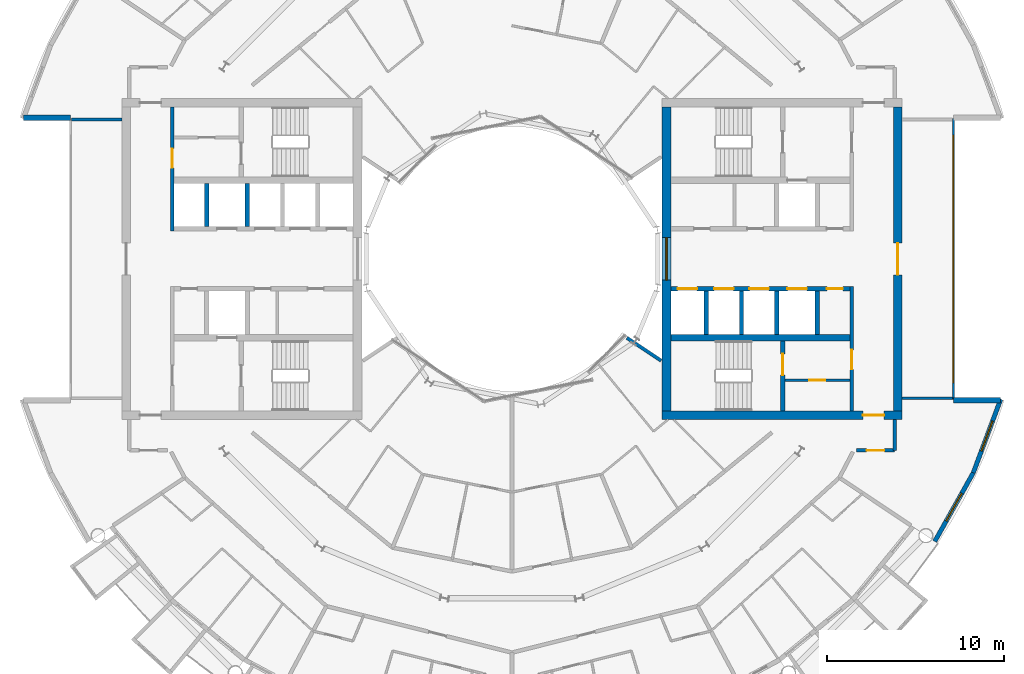
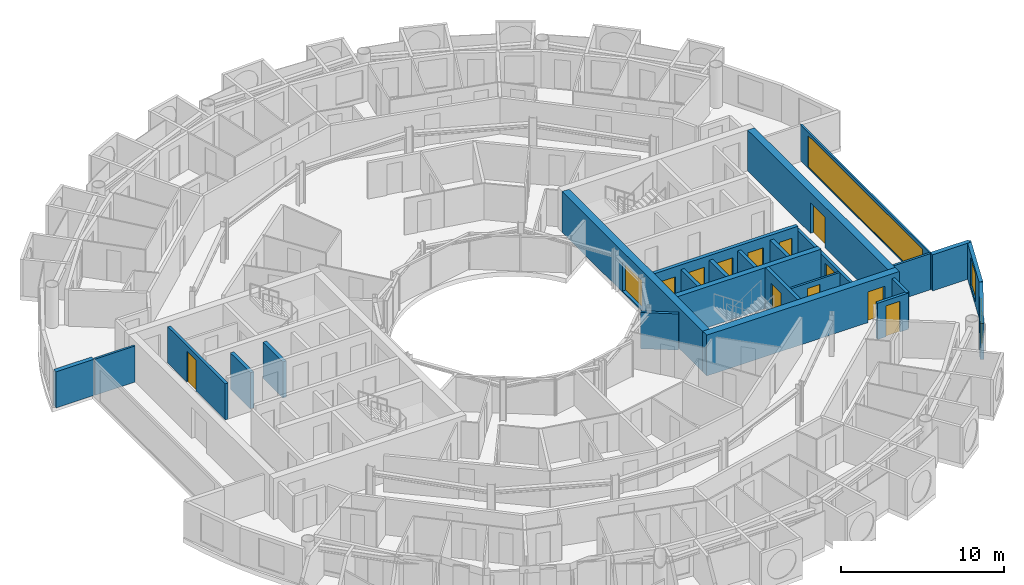
# One storey, part 18 of 27: 25 walls, 12 doors, 4 windows, 16 openings.
"""IFC4 building model written with IfcOpenShell, lengths in metres."""

import ifcopenshell
import ifcopenshell.guid

model = None  # the IFC model being written
_history = None  # IfcOwnerHistory: only IFC2X3 demands one
_inside = {}  # id of a spatial element -> (the spatial element, [elements in it])
_under = {}  # id of a project, library or spatial element -> (it, [spatial elements below it])
_declared = {}  # id of a project -> (the project, [libraries it declares])
_typed = {}  # id of a type object -> (the type object, [elements of that type])
_made_of = {}  # id of a material, layer set ... -> (it, [elements and type objects made of it])


def new_model(schema):
    """Start an empty IFC model of exactly this schema.

    Asked for "IFC4X3", IfcOpenShell would pick the latest addendum, in which some entities
    have other attributes; the version numbers below select the first issue.
    IFC2X3 requires an IfcOwnerHistory on every rooted entity: one is made here for all.
    """
    global model, _history
    if schema == "IFC4X3":
        model = ifcopenshell.file(schema_version=(4, 3, 0, 0))
    else:
        model = ifcopenshell.file(schema=schema)
    _inside.clear()
    _under.clear()
    _declared.clear()
    _typed.clear()
    _made_of.clear()
    _history = None
    if model.schema == "IFC2X3":
        org = make("IfcOrganization", Name="unknown")
        user = make(
            "IfcPersonAndOrganization",
            ThePerson=make("IfcPerson", FamilyName="unknown"),
            TheOrganization=org,
        )
        app = make(
            "IfcApplication",
            ApplicationDeveloper=org,
            Version="unknown",
            ApplicationFullName="unknown",
            ApplicationIdentifier="unknown",
        )
        _history = make(
            "IfcOwnerHistory",
            OwningUser=user,
            OwningApplication=app,
            ChangeAction="ADDED",
            CreationDate=0,
        )
    return model


def make(cls, **values):
    """One entity of the class cls with the attributes given. An attribute that is None is left unset."""
    return model.create_entity(
        cls, **{name: value for name, value in values.items() if value is not None}
    )


def rooted(cls, **values):
    """An entity with a GlobalId (a new one), such as an element, a storey or a relation."""
    return make(cls, GlobalId=ifcopenshell.guid.new(), OwnerHistory=_history, **values)


def si_unit(unit_type, name, prefix=None):
    """IfcSIUnit, for example si_unit("LENGTHUNIT", "METRE", prefix="MILLI")."""
    return make("IfcSIUnit", UnitType=unit_type, Prefix=prefix, Name=name)


def assignment(units):
    """IfcUnitAssignment: the units of a project."""
    return None if units is None else make("IfcUnitAssignment", Units=units)


def point(xyz):
    """IfcCartesianPoint."""
    return None if xyz is None else make("IfcCartesianPoint", Coordinates=xyz)


def direction(xyz):
    """IfcDirection."""
    return None if xyz is None else make("IfcDirection", DirectionRatios=xyz)


def frame(location, z_axis=None, x_axis=None):
    """IfcAxis2Placement3D, a coordinate frame: its origin and axes. An axis left out is left unset."""
    return make(
        "IfcAxis2Placement3D",
        Location=point(location),
        Axis=direction(z_axis),
        RefDirection=direction(x_axis),
    )


def frame_2d(location, x_axis=None):
    """IfcAxis2Placement2D, a coordinate frame in the plane: its origin and x axis."""
    return make(
        "IfcAxis2Placement2D", Location=point(location), RefDirection=direction(x_axis)
    )


def origin():
    """The frame at (0, 0, 0) with its axes left unset."""
    return frame((0.0, 0.0, 0.0))


def place(relative_to, where):
    """IfcLocalPlacement: puts the frame where relative to a parent placement (None: the world)."""
    return make(
        "IfcLocalPlacement", PlacementRelTo=relative_to, RelativePlacement=where
    )


def context(
    kind, dimensions, precision=None, world=None, true_north=None, identifier=None
):
    """IfcGeometricRepresentationContext, for example the 3D "Model" context."""
    return make(
        "IfcGeometricRepresentationContext",
        ContextIdentifier=identifier,
        ContextType=kind,
        CoordinateSpaceDimension=dimensions,
        Precision=precision,
        WorldCoordinateSystem=world,
        TrueNorth=true_north,
    )


def subcontext(parent, identifier, kind, view, scale=None):
    """IfcGeometricRepresentationSubContext, for example "Body" below "Model"."""
    return make(
        "IfcGeometricRepresentationSubContext",
        ContextIdentifier=identifier,
        ContextType=kind,
        ParentContext=parent,
        TargetScale=scale,
        TargetView=view,
    )


def project(units=None, contexts=None):
    """IfcProject with its units and contexts."""
    return rooted(
        "IfcProject",
        Name="project",
        RepresentationContexts=contexts,
        UnitsInContext=assignment(units),
    )


def spatial(cls, under=None, at=None, **own):
    """A site, building, storey or space (cls), placed at a placement, below another one or the project."""
    s = rooted(cls, ObjectPlacement=at, **own)
    if under is not None:
        _under.setdefault(under.id(), (under, []))[1].append(s)
    return s


def profile(cls, at=None, kind="AREA", **sizes):
    """A parametric profile (cls). Its sizes go by their IFC names, for example OverallWidth=200.0."""
    return make(cls, ProfileType=kind, Position=at, **sizes)


def rectangle(**sizes):
    """IfcRectangleProfileDef."""
    return profile("IfcRectangleProfileDef", **sizes)


def extrude(swept, where, along, depth):
    """IfcExtrudedAreaSolid: the profile swept, set in the frame where, extruded along a direction by depth."""
    return make(
        "IfcExtrudedAreaSolid",
        SweptArea=swept,
        Position=where,
        ExtrudedDirection=direction(along),
        Depth=depth,
    )


def shape(context_of_items, identifier, shape_type, items):
    """IfcShapeRepresentation: the items that make up one representation, for example the "Body"."""
    return make(
        "IfcShapeRepresentation",
        ContextOfItems=context_of_items,
        RepresentationIdentifier=identifier,
        RepresentationType=shape_type,
        Items=items,
    )


def material(Name=None, Category=None):
    """IfcMaterial."""
    return make("IfcMaterial", Name=Name, Category=Category)


def layer(
    of_material, thickness, ventilated=None, Name=None, Category=None, Priority=None
):
    """IfcMaterialLayer: one layer of a wall or slab, of a material (None: an air gap)."""
    return make(
        "IfcMaterialLayer",
        Material=of_material,
        LayerThickness=thickness,
        IsVentilated=ventilated,
        Name=Name,
        Category=Category,
        Priority=Priority,
    )


def layer_set(layers, Name=None):
    """IfcMaterialLayerSet."""
    return make("IfcMaterialLayerSet", MaterialLayers=layers, LayerSetName=Name)


def made_of(thing, what):
    """Note that an element or type object is made of a material, layer set ...; save() writes the relation."""
    if what is not None:
        _made_of.setdefault(what.id(), (what, []))[1].append(thing)
    return thing


def type_object(cls, material=None, **own):
    """A type object (cls), such as IfcWallType, which elements share."""
    return made_of(rooted(cls, **own), material)


def element(
    cls,
    number,
    at=None,
    inside=None,
    cuts=None,
    type_object=None,
    material=None,
    context=None,
    identifier="Body",
    shape_type=None,
    held_by="IfcProductDefinitionShape",
    body=None,
    shapes=None,
    **own,
):
    """One element of the class cls, such as IfcWall. Its Tag is "e" and its number.

    at: its placement. inside: the storey or other place that contains it. cuts: it is an
    opening in that element (IfcRelVoidsElement). A single representation is given by context,
    identifier, shape_type and body (its items); several are given by shapes. held_by: the class
    of the entity that holds the representations. save() writes the other relations.
    """
    e = rooted(cls, Tag="e%d" % number, ObjectPlacement=at, **own)
    if body is not None:
        shapes = [shape(context, identifier, shape_type, body)]
    if shapes is not None:
        e.Representation = make(held_by, Representations=shapes)
    if inside is not None:
        _inside.setdefault(inside.id(), (inside, []))[1].append(e)
    if cuts is not None:
        rooted(
            "IfcRelVoidsElement", RelatingBuildingElement=cuts, RelatedOpeningElement=e
        )
    if type_object is not None:
        _typed.setdefault(type_object.id(), (type_object, []))[1].append(e)
    return made_of(e, material)


def fill(opening, filler):
    """IfcRelFillsElement: the door or window that sits in an opening."""
    return rooted(
        "IfcRelFillsElement",
        RelatingOpeningElement=opening,
        RelatedBuildingElement=filler,
    )


def aggregate(whole, parts):
    """IfcRelAggregates: a whole, such as a stair, and the parts it consists of."""
    return rooted("IfcRelAggregates", RelatingObject=whole, RelatedObjects=parts)


def save(model, path):
    """Write the relations noted so far, then the file.

    IfcRelAggregates (storeys below a building ...), IfcRelContainedInSpatialStructure (elements
    in a storey), IfcRelDefinesByType, IfcRelAssociatesMaterial and IfcRelDeclares: one each for
    every whole, place, type object, material and project.
    """
    for whole, parts in _under.values():
        aggregate(whole, parts)
    for where, things in _inside.values():
        rooted(
            "IfcRelContainedInSpatialStructure",
            RelatedElements=things,
            RelatingStructure=where,
        )
    for kind, things in _typed.values():
        rooted("IfcRelDefinesByType", RelatedObjects=things, RelatingType=kind)
    for what, things in _made_of.values():
        rooted("IfcRelAssociatesMaterial", RelatedObjects=things, RelatingMaterial=what)
    for by, libraries in _declared.values():
        rooted("IfcRelDeclares", RelatingContext=by, RelatedDefinitions=libraries)
    model.write(path)


model = new_model("IFC4")

# Units and contexts
model_context = context("Model", 3, precision=1e-05, world=origin(), true_north=direction((0.0, 1.0)))
body_context = subcontext(model_context, "Body", "Model", "MODEL_VIEW")
ifc_project = project(units=[si_unit("LENGTHUNIT", "METRE"), si_unit("AREAUNIT", "SQUARE_METRE"), si_unit("VOLUMEUNIT", "CUBIC_METRE"), si_unit("PLANEANGLEUNIT", "RADIAN"), si_unit("MASSUNIT", "GRAM", prefix="KILO")], contexts=[model_context])

# Site, building, storey
site_placement = place(None, origin())
site = spatial("IfcSite", under=ifc_project, at=site_placement, CompositionType="ELEMENT")
building_placement = place(site_placement, origin())
building = spatial("IfcBuilding", under=site, at=building_placement, Name="Maasbend Ring Residences", CompositionType="ELEMENT")
storey_placement = place(building_placement, frame((0.0, 0.0, 164.64990234375)))
storey = spatial("IfcBuildingStorey", under=building, at=storey_placement, Name="L47", CompositionType="ELEMENT", Elevation=164.64990234375)

# Wall, openings, doors
ifc_material_1 = material(Name="Concrete C60/75", Category="concrete")
ifc_layer_1 = layer(ifc_material_1, 0.25)
ifc_layer_set_1 = layer_set([ifc_layer_1], Name="Concrete C60/75")
wall_type_1 = type_object("IfcWallType", Name="CORE WALL 250 C60/75", PredefinedType="SHEAR", material=ifc_layer_set_1)
wall_1_placement = place(storey_placement, frame((19.14990234375, -1.699951171875, 0.0), z_axis=(0.0, 0.0, 1.0), x_axis=(-1.0, 0.0, 0.0)))
wall_1 = element("IfcWall", 1, at=wall_1_placement, inside=storey, type_object=wall_type_1, Name="L47 core E wall SPS", PredefinedType="SHEAR", context=body_context, shape_type="SweptSolid", body=[
    extrude(rectangle(XDim=10.14990234375, YDim=0.25, at=frame_2d((5.074951171875, 0.0))), origin(), (0.0, 0.0, 1.0), 3.050048828125),
])
opening_1_placement = place(wall_1_placement, frame((8.66259765625, 0.0, 0.0)))
opening_1 = element("IfcOpeningElement", 2, at=opening_1_placement, cuts=wall_1, Name="Opening LD-E4702", PredefinedType="OPENING", context=body_context, shape_type="SweptSolid", body=[
    extrude(rectangle(XDim=1.10009765625, YDim=2.300048828125, at=frame_2d((0.550048828125, 1.14990234375))), frame((0.0, 0.135009765625, 0.0), z_axis=(0.0, -1.0, 0.0), x_axis=(1.0, 0.0, 0.0)), (0.0, 0.0, 1.0), 0.27001953125),
])
opening_2_placement = place(wall_1_placement, frame((6.60009765625, 0.0, 0.0)))
opening_2 = element("IfcOpeningElement", 3, at=opening_2_placement, cuts=wall_1, Name="Opening LD-E4703", PredefinedType="OPENING", context=body_context, shape_type="SweptSolid", body=[
    extrude(rectangle(XDim=1.10009765625, YDim=2.300048828125, at=frame_2d((0.550048828125, 1.14990234375))), frame((0.0, 0.135009765625, 0.0), z_axis=(0.0, -1.0, 0.0), x_axis=(1.0, 0.0, 0.0)), (0.0, 0.0, 1.0), 0.27001953125),
])
opening_3_placement = place(wall_1_placement, frame((4.60009765625, 0.0, 0.0)))
opening_3 = element("IfcOpeningElement", 4, at=opening_3_placement, cuts=wall_1, Name="Opening LD-E4704", PredefinedType="OPENING", context=body_context, shape_type="SweptSolid", body=[
    extrude(rectangle(XDim=1.10009765625, YDim=2.300048828125, at=frame_2d((0.550048828125, 1.14990234375))), frame((0.0, 0.135009765625, 0.0), z_axis=(0.0, -1.0, 0.0), x_axis=(1.0, 0.0, 0.0)), (0.0, 0.0, 1.0), 0.27001953125),
])
opening_4_placement = place(wall_1_placement, frame((2.449951171875, 0.0, 0.0)))
opening_4 = element("IfcOpeningElement", 5, at=opening_4_placement, cuts=wall_1, Name="Opening LD-E4705", PredefinedType="OPENING", context=body_context, shape_type="SweptSolid", body=[
    extrude(rectangle(XDim=1.10009765625, YDim=2.300048828125, at=frame_2d((0.550048828125, 1.14990234375))), frame((0.0, 0.135009765625, 0.0), z_axis=(0.0, -1.0, 0.0), x_axis=(1.0, 0.0, 0.0)), (0.0, 0.0, 1.0), 0.27001953125),
])
opening_5_placement = place(wall_1_placement, frame((0.41259765625, 0.0, 0.0)))
opening_5 = element("IfcOpeningElement", 6, at=opening_5_placement, cuts=wall_1, Name="Opening D-E4709", PredefinedType="OPENING", context=body_context, shape_type="SweptSolid", body=[
    extrude(rectangle(XDim=0.89990234375, YDim=2.300048828125, at=frame_2d((0.449951171875, 1.14990234375))), frame((0.0, 0.135009765625, 0.0), z_axis=(0.0, -1.0, 0.0), x_axis=(1.0, 0.0, 0.0)), (0.0, 0.0, 1.0), 0.27001953125),
])
ifc_material_2 = material(Name="Stainless steel 316", Category="steel")
door_type_1 = type_object("IfcDoorType", Name="LANDING DOOR 1100 X 2300 FD60", OperationType="DOUBLE_DOOR_SLIDING", PredefinedType="DOOR", material=ifc_material_2)
door_1_placement = place(opening_1_placement, origin())
door_1 = element("IfcDoor", 7, at=door_1_placement, inside=storey, type_object=door_type_1, Name="Landing door HR-E1 L47", OperationType="DOUBLE_DOOR_SLIDING", OverallHeight=2.300048828125, OverallWidth=1.10009765625, PredefinedType="DOOR", context=body_context, shape_type="SweptSolid", body=[
    extrude(rectangle(XDim=1.10009765625, YDim=2.300048828125, at=frame_2d((0.550048828125, 1.14990234375))), frame((0.0, 0.02490234375, 0.0), z_axis=(0.0, -1.0, 0.0), x_axis=(1.0, 0.0, 0.0)), (0.0, 0.0, 1.0), 0.050048828125),
])
fill(opening_1, door_1)
door_2_placement = place(opening_2_placement, origin())
door_2 = element("IfcDoor", 8, at=door_2_placement, inside=storey, type_object=door_type_1, Name="Landing door HR-E2 L47", OperationType="DOUBLE_DOOR_SLIDING", OverallHeight=2.300048828125, OverallWidth=1.10009765625, PredefinedType="DOOR", context=body_context, shape_type="SweptSolid", body=[
    extrude(rectangle(XDim=1.10009765625, YDim=2.300048828125, at=frame_2d((0.550048828125, 1.14990234375))), frame((0.0, 0.02490234375, 0.0), z_axis=(0.0, -1.0, 0.0), x_axis=(1.0, 0.0, 0.0)), (0.0, 0.0, 1.0), 0.050048828125),
])
fill(opening_2, door_2)
door_3_placement = place(opening_3_placement, origin())
door_3 = element("IfcDoor", 9, at=door_3_placement, inside=storey, type_object=door_type_1, Name="Landing door HR-E3 L47", OperationType="DOUBLE_DOOR_SLIDING", OverallHeight=2.300048828125, OverallWidth=1.10009765625, PredefinedType="DOOR", context=body_context, shape_type="SweptSolid", body=[
    extrude(rectangle(XDim=1.10009765625, YDim=2.300048828125, at=frame_2d((0.550048828125, 1.14990234375))), frame((0.0, 0.02490234375, 0.0), z_axis=(0.0, -1.0, 0.0), x_axis=(1.0, 0.0, 0.0)), (0.0, 0.0, 1.0), 0.050048828125),
])
fill(opening_3, door_3)
door_4_placement = place(opening_4_placement, origin())
door_4 = element("IfcDoor", 10, at=door_4_placement, inside=storey, type_object=door_type_1, Name="Landing door SV-E L47", OperationType="DOUBLE_DOOR_SLIDING", OverallHeight=2.300048828125, OverallWidth=1.10009765625, PredefinedType="DOOR", context=body_context, shape_type="SweptSolid", body=[
    extrude(rectangle(XDim=1.10009765625, YDim=2.300048828125, at=frame_2d((0.550048828125, 1.14990234375))), frame((0.0, 0.02490234375, 0.0), z_axis=(0.0, -1.0, 0.0), x_axis=(1.0, 0.0, 0.0)), (0.0, 0.0, 1.0), 0.050048828125),
])
fill(opening_4, door_4)
ifc_material_3 = material(Name="Steel, powder coated", Category="steel")
door_type_2 = type_object("IfcDoorType", Name="ROOM DOOR 900 X 2300 FD30S", OperationType="NOTDEFINED", PredefinedType="DOOR", material=ifc_material_3)
door_5_placement = place(opening_5_placement, origin())
door_5 = element("IfcDoor", 11, at=door_5_placement, inside=storey, type_object=door_type_2, Name="Room door L47", OperationType="SINGLE_SWING_RIGHT", OverallHeight=2.300048828125, OverallWidth=0.89990234375, PredefinedType="DOOR", context=body_context, shape_type="SweptSolid", body=[
    extrude(rectangle(XDim=0.89990234375, YDim=2.300048828125, at=frame_2d((0.449951171875, 1.14990234375))), frame((0.0, 0.02490234375, 0.0), z_axis=(0.0, -1.0, 0.0), x_axis=(1.0, 0.0, 0.0)), (0.0, 0.0, 1.0), 0.050048828125),
])
fill(opening_5, door_5)

# Wall, opening, door
wall_2_placement = place(storey_placement, frame((15.324951171875, -8.60009765625, 0.0), z_axis=(0.0, 0.0, 1.0), x_axis=(0.0, 1.0, 0.0)))
wall_2 = element("IfcWall", 12, at=wall_2_placement, inside=storey, type_object=wall_type_1, Name="L47 core E wall STES", PredefinedType="SHEAR", context=body_context, shape_type="SweptSolid", body=[
    extrude(rectangle(XDim=3.9501953125, YDim=0.25, at=frame_2d((1.97509765625, 0.0))), origin(), (0.0, 0.0, 1.0), 3.050048828125),
])
opening_6_placement = place(wall_2_placement, frame((2.02490234375, 0.0, 0.0)))
opening_6 = element("IfcOpeningElement", 13, at=opening_6_placement, cuts=wall_2, Name="Opening D-E4712", PredefinedType="OPENING", context=body_context, shape_type="SweptSolid", body=[
    extrude(rectangle(XDim=1.199951171875, YDim=2.300048828125, at=frame_2d((0.60009765625, 1.14990234375))), frame((0.0, 0.135009765625, 0.0), z_axis=(0.0, -1.0, 0.0), x_axis=(1.0, 0.0, 0.0)), (0.0, 0.0, 1.0), 0.27001953125),
])
ifc_material_4 = material(Name="Steel, powder coated", Category="steel")
door_type_3 = type_object("IfcDoorType", Name="STAIR DOOR 1200 X 2300 FD60", OperationType="NOTDEFINED", PredefinedType="DOOR", material=ifc_material_4)
door_6_placement = place(opening_6_placement, origin())
door_6 = element("IfcDoor", 14, at=door_6_placement, inside=storey, type_object=door_type_3, Name="Stair door ST-E L47", OperationType="SINGLE_SWING_LEFT", OverallHeight=2.300048828125, OverallWidth=1.199951171875, PredefinedType="DOOR", context=body_context, shape_type="SweptSolid", body=[
    extrude(rectangle(XDim=1.199951171875, YDim=2.300048828125, at=frame_2d((0.60009765625, 1.14990234375))), frame((0.0, 0.02490234375, 0.0), z_axis=(0.0, -1.0, 0.0), x_axis=(1.0, 0.0, 0.0)), (0.0, 0.0, 1.0), 0.050048828125),
])
fill(opening_6, door_6)

# Wall
ifc_material_5 = material(Name="Concrete C60/75", Category="concrete")
ifc_layer_2 = layer(ifc_material_5, 0.375)
ifc_layer_set_2 = layer_set([ifc_layer_2], Name="Concrete C60/75")
wall_type_2 = type_object("IfcWallType", Name="CORE WALL 375 C60/75", PredefinedType="SHEAR", material=ifc_layer_set_2)
wall_3_placement = place(storey_placement, frame((9.0, -4.46240234375, 0.0), z_axis=(0.0, 0.0, 1.0), x_axis=(1.0, 0.0, 0.0)))
element("IfcWall", 15, at=wall_3_placement, inside=storey, type_object=wall_type_2, Name="L47 core E wall BS", PredefinedType="SHEAR", context=body_context, shape_type="SweptSolid", body=[
    extrude(rectangle(XDim=10.14990234375, YDim=0.375, at=frame_2d((5.074951171875, 0.0))), origin(), (0.0, 0.0, 1.0), 3.050048828125),
])

# Wall, opening, door
ifc_material_6 = material(Name="Concrete C60/75", Category="concrete")
ifc_layer_3 = layer(ifc_material_6, 0.5)
ifc_layer_set_3 = layer_set([ifc_layer_3], Name="Concrete C60/75")
wall_type_3 = type_object("IfcWallType", Name="CORE WALL 500 C60/75", PredefinedType="SHEAR", material=ifc_layer_set_3)
wall_4_placement = place(storey_placement, frame((8.5, -8.85009765625, 0.0), z_axis=(0.0, 0.0, 1.0), x_axis=(1.0, 0.0, 0.0)))
wall_4 = element("IfcWall", 16, at=wall_4_placement, inside=storey, type_object=wall_type_3, Name="L47 core E wall PS", PredefinedType="SHEAR", context=body_context, shape_type="SweptSolid", body=[
    extrude(rectangle(XDim=13.60009765625, YDim=0.5, at=frame_2d((6.800048828125, 0.0))), origin(), (0.0, 0.0, 1.0), 3.050048828125),
])
opening_7_placement = place(wall_4_placement, frame((11.375, 0.0, 0.0)))
opening_7 = element("IfcOpeningElement", 17, at=opening_7_placement, cuts=wall_4, Name="Opening D-E4716", PredefinedType="OPENING", context=body_context, shape_type="SweptSolid", body=[
    extrude(rectangle(XDim=1.199951171875, YDim=2.300048828125, at=frame_2d((0.60009765625, 1.14990234375))), frame((0.0, 0.260009765625, 0.0), z_axis=(0.0, -1.0, 0.0), x_axis=(1.0, 0.0, 0.0)), (0.0, 0.0, 1.0), 0.52001953125),
])
ifc_material_7 = material(Name="Steel, powder coated", Category="steel")
door_type_4 = type_object("IfcDoorType", Name="CORRIDOR DOOR 1200 X 2300 FD30S", OperationType="NOTDEFINED", PredefinedType="DOOR", material=ifc_material_7)
door_7_placement = place(opening_7_placement, origin())
door_7 = element("IfcDoor", 18, at=door_7_placement, inside=storey, type_object=door_type_4, Name="Corridor door L47", OperationType="SINGLE_SWING_LEFT", OverallHeight=2.300048828125, OverallWidth=1.199951171875, PredefinedType="DOOR", context=body_context, shape_type="SweptSolid", body=[
    extrude(rectangle(XDim=1.199951171875, YDim=2.300048828125, at=frame_2d((0.60009765625, 1.14990234375))), frame((0.0, 0.02490234375, 0.0), z_axis=(0.0, -1.0, 0.0), x_axis=(1.0, 0.0, 0.0)), (0.0, 0.0, 1.0), 0.050048828125),
])
fill(opening_7, door_7)

wall_5_placement = place(storey_placement, frame((21.85009765625, 8.60009765625, 0.0), z_axis=(0.0, 0.0, 1.0), x_axis=(0.0, -1.0, 0.0)))
wall_5 = element("IfcWall", 19, at=wall_5_placement, inside=storey, type_object=wall_type_3, Name="L47 core E wall POUT", PredefinedType="SHEAR", context=body_context, shape_type="SweptSolid", body=[
    extrude(rectangle(XDim=17.2001953125, YDim=0.5, at=frame_2d((8.60009765625, 0.0))), origin(), (0.0, 0.0, 1.0), 3.050048828125),
])
opening_8_placement = place(wall_5_placement, frame((7.699951171875, 0.0, 0.0)))
opening_8 = element("IfcOpeningElement", 20, at=opening_8_placement, cuts=wall_5, Name="Opening D-E4717", PredefinedType="OPENING", context=body_context, shape_type="SweptSolid", body=[
    extrude(rectangle(XDim=1.800048828125, YDim=2.300048828125, at=frame_2d((0.89990234375, 1.14990234375))), frame((0.0, 0.260009765625, 0.0), z_axis=(0.0, -1.0, 0.0), x_axis=(1.0, 0.0, 0.0)), (0.0, 0.0, 1.0), 0.52001953125),
])
ifc_material_8 = material(Name="Aluminium frame, clear glass", Category="aluminium")
door_type_5 = type_object("IfcDoorType", Name="ENTRANCE DOOR 1800 X 2300 FD60", OperationType="NOTDEFINED", PredefinedType="DOOR", material=ifc_material_8)
door_8_placement = place(opening_8_placement, origin())
door_8 = element("IfcDoor", 21, at=door_8_placement, inside=storey, type_object=door_type_5, Name="Lobby glazed door L47", OperationType="SINGLE_SWING_LEFT", OverallHeight=2.300048828125, OverallWidth=1.800048828125, PredefinedType="DOOR", context=body_context, shape_type="SweptSolid", body=[
    extrude(rectangle(XDim=1.800048828125, YDim=2.300048828125, at=frame_2d((0.89990234375, 1.14990234375))), frame((0.0, 0.02490234375, 0.0), z_axis=(0.0, -1.0, 0.0), x_axis=(1.0, 0.0, 0.0)), (0.0, 0.0, 1.0), 0.050048828125),
])
fill(opening_8, door_8)

# Wall, opening, window
wall_6_placement = place(storey_placement, frame((8.75, -8.60009765625, 0.0), z_axis=(0.0, 0.0, 1.0), x_axis=(0.0, 1.0, 0.0)))
wall_6 = element("IfcWall", 22, at=wall_6_placement, inside=storey, type_object=wall_type_3, Name="L47 core E wall PIN", PredefinedType="SHEAR", context=body_context, shape_type="SweptSolid", body=[
    extrude(rectangle(XDim=17.2001953125, YDim=0.5, at=frame_2d((8.60009765625, 0.0))), origin(), (0.0, 0.0, 1.0), 3.050048828125),
])
opening_9_placement = place(wall_6_placement, frame((7.39990234375, 0.0, 0.10009765625)))
opening_9 = element("IfcOpeningElement", 23, at=opening_9_placement, cuts=wall_6, Name="Opening W-E4701", PredefinedType="OPENING", context=body_context, shape_type="SweptSolid", body=[
    extrude(rectangle(XDim=2.39990234375, YDim=2.199951171875, at=frame_2d((1.199951171875, 1.10009765625))), frame((0.0, 0.260009765625, 0.0), z_axis=(0.0, -1.0, 0.0), x_axis=(1.0, 0.0, 0.0)), (0.0, 0.0, 1.0), 0.52001953125),
])
ifc_material_9 = material(Name="Aluminium frame and clear glass", Category="aluminium")
window_type_1 = type_object("IfcWindowType", Name="FIXED WINDOW 2400 X 2200", PartitioningType="SINGLE_PANEL", PredefinedType="WINDOW", material=ifc_material_9)
window_1_placement = place(opening_9_placement, origin())
window_1 = element("IfcWindow", 24, at=window_1_placement, inside=storey, type_object=window_type_1, Name="Lobby window L47", OverallHeight=2.199951171875, OverallWidth=2.39990234375, PartitioningType="SINGLE_PANEL", PredefinedType="WINDOW", context=body_context, shape_type="SweptSolid", body=[
    extrude(rectangle(XDim=2.39990234375, YDim=2.199951171875, at=frame_2d((1.199951171875, 1.10009765625))), frame((0.0, 0.030029296875, 0.0), z_axis=(0.0, -1.0, 0.0), x_axis=(1.0, 0.0, 0.0)), (0.0, 0.0, 1.0), 0.06005859375),
])
fill(opening_9, window_1)

# Wall
ifc_material_10 = material(Name="Concrete C30/37", Category="concrete")
ifc_layer_4 = layer(ifc_material_10, 0.199951171875)
ifc_layer_set_4 = layer_set([ifc_layer_4], Name="Concrete C30/37")
wall_type_4 = type_object("IfcWallType", Name="CORRIDOR WALL 200 CONCRETE", PredefinedType="PARTITIONING", material=ifc_layer_set_4)
wall_7_placement = place(storey_placement, frame((21.675048828125, -10.85009765625, 0.0), z_axis=(0.0, 0.0, 1.0), x_axis=(0.0, 1.0, 0.0)))
element("IfcWall", 25, at=wall_7_placement, inside=storey, type_object=wall_type_4, Name="U-L47-w011", PredefinedType="PARTITIONING", context=body_context, shape_type="SweptSolid", body=[
    extrude(rectangle(XDim=1.75, YDim=0.199951171875, at=frame_2d((0.875, 0.0))), origin(), (0.0, 0.0, 1.0), 2.7001953125),
])

# Wall, opening, door
wall_8_placement = place(storey_placement, frame((19.50390625, -10.85009765625, 0.0), z_axis=(0.0, 0.0, 1.0), x_axis=(1.0, 0.0, 0.0)))
wall_8 = element("IfcWall", 26, at=wall_8_placement, inside=storey, type_object=wall_type_4, Name="U-L47-w028", PredefinedType="PARTITIONING", context=body_context, shape_type="SweptSolid", body=[
    extrude(rectangle(XDim=2.171142578125, YDim=0.199951171875, at=frame_2d((1.08544921875, 0.0))), origin(), (0.0, 0.0, 1.0), 2.7001953125),
])
opening_10_placement = place(wall_8_placement, frame((0.5849609375, 0.0, 0.0)))
opening_10 = element("IfcOpeningElement", 27, at=opening_10_placement, cuts=wall_8, Name="Opening D-4768", PredefinedType="OPENING", context=body_context, shape_type="SweptSolid", body=[
    extrude(rectangle(XDim=1.0, YDim=2.300048828125, at=frame_2d((0.5, 1.14990234375))), frame((0.0, 0.10986328125, 0.0), z_axis=(0.0, -1.0, 0.0), x_axis=(1.0, 0.0, 0.0)), (0.0, 0.0, 1.0), 0.219970703125),
])
ifc_material_11 = material(Name="Timber, painted", Category="wood")
door_type_6 = type_object("IfcDoorType", Name="ROOM DOOR 1000 X 2300", OperationType="NOTDEFINED", PredefinedType="DOOR", material=ifc_material_11)
door_9_placement = place(opening_10_placement, origin())
door_9 = element("IfcDoor", 28, at=door_9_placement, inside=storey, type_object=door_type_6, Name="D-4768", OperationType="SINGLE_SWING_LEFT", OverallHeight=2.300048828125, OverallWidth=1.0, PredefinedType="DOOR", context=body_context, shape_type="SweptSolid", body=[
    extrude(rectangle(XDim=1.0, YDim=2.300048828125, at=frame_2d((0.5, 1.14990234375))), frame((0.0, 0.02490234375, 0.0), z_axis=(0.0, -1.0, 0.0), x_axis=(1.0, 0.0, 0.0)), (0.0, 0.0, 1.0), 0.050048828125),
])
fill(opening_10, door_9)

# Wall, opening, window
ifc_material_12 = material(Name="Aluminium clad insulated panel", Category="aluminium")
ifc_layer_5 = layer(ifc_material_12, 0.25)
ifc_layer_set_5 = layer_set([ifc_layer_5], Name="EW-HORN")
wall_type_5 = type_object("IfcWallType", Name="EW-HORN", PredefinedType="SOLIDWALL", material=ifc_layer_set_5)
wall_9_placement = place(storey_placement, frame((23.946044921875, -16.0, 0.0), z_axis=(0.0, 0.0, 1.0), x_axis=(0.489696356642, 0.871893042919, 0.0)))
wall_9 = element("IfcWall", 29, at=wall_9_placement, inside=storey, type_object=wall_type_5, Name="Horn wall 2.1", PredefinedType="SOLIDWALL", context=body_context, shape_type="SweptSolid", body=[
    extrude(rectangle(XDim=4.45361328125, YDim=0.25, at=frame_2d((2.226806640625, 0.0))), origin(), (0.0, 0.0, 1.0), 2.7001953125),
])
opening_11_placement = place(wall_9_placement, frame((1.32666015625, 0.0, 0.300048828125)))
opening_11 = element("IfcOpeningElement", 30, at=opening_11_placement, cuts=wall_9, Name="Opening W-BX", PredefinedType="OPENING", context=body_context, shape_type="SweptSolid", body=[
    extrude(rectangle(XDim=1.800048828125, YDim=2.10009765625, at=frame_2d((0.89990234375, 1.050048828125))), frame((0.0, 0.135009765625, 0.0), z_axis=(0.0, -1.0, 0.0), x_axis=(1.0, 0.0, 0.0)), (0.0, 0.0, 1.0), 0.27001953125),
])
ifc_material_13 = material(Name="Aluminium and clear glass", Category="aluminium")
window_type_2 = type_object("IfcWindowType", Name="W-BX", PartitioningType="DOUBLE_PANEL_VERTICAL", PredefinedType="WINDOW", material=ifc_material_13)
window_2_placement = place(opening_11_placement, origin())
window_2 = element("IfcWindow", 31, at=window_2_placement, inside=storey, type_object=window_type_2, Name="Horn window 2.1", OverallHeight=2.10009765625, OverallWidth=1.800048828125, PartitioningType="SINGLE_PANEL", PredefinedType="WINDOW", context=body_context, shape_type="SweptSolid", body=[
    extrude(rectangle(XDim=1.800048828125, YDim=2.10009765625, at=frame_2d((0.89990234375, 1.050048828125))), frame((0.0, 0.030029296875, 0.0), z_axis=(0.0, -1.0, 0.0), x_axis=(1.0, 0.0, 0.0)), (0.0, 0.0, 1.0), 0.06005859375),
])
fill(opening_11, window_2)

wall_10_placement = place(storey_placement, frame((26.126953125, -12.116943359375, 0.0), z_axis=(0.0, 0.0, 1.0), x_axis=(0.349247811493, 0.937030397675, 0.0)))
wall_10 = element("IfcWall", 32, at=wall_10_placement, inside=storey, type_object=wall_type_5, Name="Horn wall 2.2", PredefinedType="SOLIDWALL", context=body_context, shape_type="SweptSolid", body=[
    extrude(rectangle(XDim=4.4521484375, YDim=0.25, at=frame_2d((2.22607421875, 0.0))), origin(), (0.0, 0.0, 1.0), 2.7001953125),
])
opening_12_placement = place(wall_10_placement, frame((1.32666015625, 0.0, 0.300048828125)))
opening_12 = element("IfcOpeningElement", 33, at=opening_12_placement, cuts=wall_10, Name="Opening W-BX", PredefinedType="OPENING", context=body_context, shape_type="SweptSolid", body=[
    extrude(rectangle(XDim=1.800048828125, YDim=2.10009765625, at=frame_2d((0.89990234375, 1.050048828125))), frame((0.0, 0.135009765625, 0.0), z_axis=(0.0, -1.0, 0.0), x_axis=(1.0, 0.0, 0.0)), (0.0, 0.0, 1.0), 0.27001953125),
])
window_3_placement = place(opening_12_placement, origin())
window_3 = element("IfcWindow", 34, at=window_3_placement, inside=storey, type_object=window_type_2, Name="Horn window 2.2", OverallHeight=2.10009765625, OverallWidth=1.800048828125, PartitioningType="SINGLE_PANEL", PredefinedType="WINDOW", context=body_context, shape_type="SweptSolid", body=[
    extrude(rectangle(XDim=1.800048828125, YDim=2.10009765625, at=frame_2d((0.89990234375, 1.050048828125))), frame((0.0, 0.030029296875, 0.0), z_axis=(0.0, -1.0, 0.0), x_axis=(1.0, 0.0, 0.0)), (0.0, 0.0, 1.0), 0.06005859375),
])
fill(opening_12, window_3)

# Walls
ifc_material_14 = material(Name="Aluminium clad insulated panel", Category="aluminium")
ifc_layer_6 = layer(ifc_material_14, 0.300048828125)
ifc_layer_set_6 = layer_set([ifc_layer_6], Name="EW-RET")
wall_type_6 = type_object("IfcWallType", Name="EW-RET", PredefinedType="SOLIDWALL", material=ifc_layer_set_6)
for number, where, z_axis, x_axis, name in (
    (35, (25.0, -8.0, 0.0), (0.0, 0.0, 1.0), (1.0, 0.0, 0.0), "Notch return wall east south"),
    (36, (-25.0, 8.0, 0.0), (0.0, 0.0, 1.0), (-1.0, 0.0, 0.0), "Notch return wall west north"),
):
    element("IfcWall", number, at=place(storey_placement, frame(where, z_axis=z_axis, x_axis=x_axis)), inside=storey, type_object=wall_type_6, Name=name, PredefinedType="SOLIDWALL", context=body_context, shape_type="SweptSolid", body=[
        extrude(rectangle(XDim=2.6669921875, YDim=0.300048828125, at=frame_2d((1.33349609375, 0.0))), origin(), (0.0, 0.0, 1.0), 2.7001953125),
    ])

# Wall, opening, window
ifc_material_15 = material(Name="Aluminium frame and clear glass", Category="aluminium")
ifc_layer_7 = layer(ifc_material_15, 0.1201171875)
ifc_layer_set_7 = layer_set([ifc_layer_7], Name="GLAZED SCREEN WALL 120 EI 60")
wall_type_7 = type_object("IfcWallType", Name="GLAZED SCREEN WALL 120 EI 60", PredefinedType="PARTITIONING", material=ifc_layer_set_7)
wall_11_placement = place(storey_placement, frame((25.0, -7.949951171875, 0.0), z_axis=(0.0, 0.0, 1.0), x_axis=(0.0, 1.0, 0.0)))
wall_11 = element("IfcWall", 37, at=wall_11_placement, inside=storey, type_object=wall_type_7, Name="L47 core E wall FACE", PredefinedType="PARTITIONING", context=body_context, shape_type="SweptSolid", body=[
    extrude(rectangle(XDim=15.89990234375, YDim=0.1201171875, at=frame_2d((7.949951171875, 0.0))), origin(), (0.0, 0.0, 1.0), 2.7001953125),
])
opening_13_placement = place(wall_11_placement, frame((0.949951171875, 0.0, 0.10009765625)))
opening_13 = element("IfcOpeningElement", 38, at=opening_13_placement, cuts=wall_11, Name="Opening W-E4702", PredefinedType="OPENING", context=body_context, shape_type="SweptSolid", body=[
    extrude(rectangle(XDim=14.0, YDim=2.35009765625, at=frame_2d((7.0, 1.175048828125))), frame((0.0, 0.070068359375, 0.0), z_axis=(0.0, -1.0, 0.0), x_axis=(1.0, 0.0, 0.0)), (0.0, 0.0, 1.0), 0.14013671875),
])
ifc_material_16 = material(Name="Aluminium frame and clear glass", Category="aluminium")
window_type_3 = type_object("IfcWindowType", Name="FIXED WINDOW 14000 X 2350", PartitioningType="SINGLE_PANEL", PredefinedType="WINDOW", material=ifc_material_16)
window_4_placement = place(opening_13_placement, origin())
window_4 = element("IfcWindow", 39, at=window_4_placement, inside=storey, type_object=window_type_3, Name="Lobby window L47", OverallHeight=2.35009765625, OverallWidth=14.0, PartitioningType="SINGLE_PANEL", PredefinedType="WINDOW", context=body_context, shape_type="SweptSolid", body=[
    extrude(rectangle(XDim=14.0, YDim=2.35009765625, at=frame_2d((7.0, 1.175048828125))), frame((0.0, 0.030029296875, 0.0), z_axis=(0.0, -1.0, 0.0), x_axis=(1.0, 0.0, 0.0)), (0.0, 0.0, 1.0), 0.06005859375),
])
fill(opening_13, window_4)

# Wall, opening, door
ifc_material_17 = material(Name="Gypsum board on steel studs", Category="steel")
ifc_layer_8 = layer(ifc_material_17, 0.14990234375)
ifc_layer_set_8 = layer_set([ifc_layer_8], Name="PARTITION 150 EI 60")
wall_type_8 = type_object("IfcWallType", Name="PARTITION 150 EI 60", PredefinedType="PARTITIONING", material=ifc_layer_set_8)
wall_12_placement = place(storey_placement, frame((15.449951171875, -6.875, 0.0), z_axis=(0.0, 0.0, 1.0), x_axis=(1.0, 0.0, 0.0)))
wall_12 = element("IfcWall", 40, at=wall_12_placement, inside=storey, type_object=wall_type_8, Name="L47 core E wall RHS", PredefinedType="PARTITIONING", context=body_context, shape_type="SweptSolid", body=[
    extrude(rectangle(XDim=3.699951171875, YDim=0.14990234375, at=frame_2d((1.85009765625, 0.0))), origin(), (0.0, 0.0, 1.0), 2.7001953125),
])
opening_14_placement = place(wall_12_placement, frame((1.39990234375, 0.0, 0.0)))
opening_14 = element("IfcOpeningElement", 41, at=opening_14_placement, cuts=wall_12, Name="Opening D-E4710", PredefinedType="OPENING", context=body_context, shape_type="SweptSolid", body=[
    extrude(rectangle(XDim=0.89990234375, YDim=2.300048828125, at=frame_2d((0.449951171875, 1.14990234375))), frame((0.0, 0.0849609375, 0.0), z_axis=(0.0, -1.0, 0.0), x_axis=(1.0, 0.0, 0.0)), (0.0, 0.0, 1.0), 0.169921875),
])
ifc_material_18 = material(Name="Steel, powder coated", Category="steel")
door_type_7 = type_object("IfcDoorType", Name="RISER DOOR 900 X 2300 FD60", OperationType="NOTDEFINED", PredefinedType="DOOR", material=ifc_material_18)
door_10_placement = place(opening_14_placement, origin())
door_10 = element("IfcDoor", 42, at=door_10_placement, inside=storey, type_object=door_type_7, Name="Riser door L47", OperationType="SINGLE_SWING_LEFT", OverallHeight=2.300048828125, OverallWidth=0.89990234375, PredefinedType="DOOR", context=body_context, shape_type="SweptSolid", body=[
    extrude(rectangle(XDim=0.89990234375, YDim=2.300048828125, at=frame_2d((0.449951171875, 1.14990234375))), frame((0.0, 0.02490234375, 0.0), z_axis=(0.0, -1.0, 0.0), x_axis=(1.0, 0.0, 0.0)), (0.0, 0.0, 1.0), 0.050048828125),
])
fill(opening_14, door_10)

# Walls
for number, where, z_axis, x_axis, name in (
    (43, (22.10009765625, -7.89990234375, 0.0), (0.0, 0.0, 1.0), (1.0, 0.0, 0.0), "L47 core E wall CITS"),
    (44, (-22.10009765625, 7.89990234375, 0.0), (0.0, 0.0, 1.0), (-1.0, 0.0, 0.0), "L47 core W wall CITS"),
):
    element("IfcWall", number, at=place(storey_placement, frame(where, z_axis=z_axis, x_axis=x_axis)), inside=storey, type_object=wall_type_8, Name=name, PredefinedType="PARTITIONING", context=body_context, shape_type="SweptSolid", body=[
        extrude(rectangle(XDim=2.83984375, YDim=0.14990234375, at=frame_2d((1.419921875, 0.0))), origin(), (0.0, 0.0, 1.0), 2.7001953125),
    ])
ifc_material_19 = material(Name="Concrete C30/37", Category="concrete")
ifc_layer_9 = layer(ifc_material_19, 0.199951171875)
ifc_layer_set_9 = layer_set([ifc_layer_9], Name="Concrete C30/37")
wall_type_9 = type_object("IfcWallType", Name="PARTY WALL 200 CONCRETE", PredefinedType="PARTITIONING", material=ifc_layer_set_9)
wall_13_placement = place(storey_placement, frame((6.512939453125, -4.471923828125, 0.0), z_axis=(0.0, 0.0, 1.0), x_axis=(0.83133816625, -0.555766905579, 0.0)))
element("IfcWall", 45, at=wall_13_placement, inside=storey, type_object=wall_type_9, Name="U-L47-w030", PredefinedType="PARTITIONING", context=body_context, shape_type="SweptSolid", body=[
    extrude(rectangle(XDim=2.322998046875, YDim=0.199951171875, at=frame_2d((1.16162109375, 0.0))), origin(), (0.0, 0.0, 1.0), 2.7001953125),
])

# Wall, opening, door
ifc_material_20 = material(Name="Concrete C30/37", Category="concrete")
ifc_layer_10 = layer(ifc_material_20, 0.199951171875)
ifc_layer_set_10 = layer_set([ifc_layer_10], Name="Concrete C30/37")
wall_type_10 = type_object("IfcWallType", Name="SHAFT WALL 200 EI 120", PredefinedType="SOLIDWALL", material=ifc_layer_set_10)
wall_14_placement = place(storey_placement, frame((19.25, -8.60009765625, 0.0), z_axis=(0.0, 0.0, 1.0), x_axis=(0.0, 1.0, 0.0)))
wall_14 = element("IfcWall", 46, at=wall_14_placement, inside=storey, type_object=wall_type_10, Name="L47 core E wall ENDS", PredefinedType="SOLIDWALL", context=body_context, shape_type="SweptSolid", body=[
    extrude(rectangle(XDim=7.025146484375, YDim=0.199951171875, at=frame_2d((3.5126953125, 0.0))), origin(), (0.0, 0.0, 1.0), 2.7001953125),
])
opening_15_placement = place(wall_14_placement, frame((2.35009765625, 0.0, 0.0)))
opening_15 = element("IfcOpeningElement", 47, at=opening_15_placement, cuts=wall_14, Name="Opening D-E4714", PredefinedType="OPENING", context=body_context, shape_type="SweptSolid", body=[
    extrude(rectangle(XDim=1.10009765625, YDim=2.300048828125, at=frame_2d((0.550048828125, 1.14990234375))), frame((0.0, 0.10986328125, 0.0), z_axis=(0.0, -1.0, 0.0), x_axis=(1.0, 0.0, 0.0)), (0.0, 0.0, 1.0), 0.219970703125),
])
ifc_material_21 = material(Name="Steel, powder coated", Category="steel")
door_type_8 = type_object("IfcDoorType", Name="LOBBY DOOR 1100 X 2300 FD60", OperationType="NOTDEFINED", PredefinedType="DOOR", material=ifc_material_21)
door_11_placement = place(opening_15_placement, origin())
door_11 = element("IfcDoor", 48, at=door_11_placement, inside=storey, type_object=door_type_8, Name="Lobby door L47", OperationType="SINGLE_SWING_RIGHT", OverallHeight=2.300048828125, OverallWidth=1.10009765625, PredefinedType="DOOR", context=body_context, shape_type="SweptSolid", body=[
    extrude(rectangle(XDim=1.10009765625, YDim=2.300048828125, at=frame_2d((0.550048828125, 1.14990234375))), frame((0.0, 0.02490234375, 0.0), z_axis=(0.0, -1.0, 0.0), x_axis=(1.0, 0.0, 0.0)), (0.0, 0.0, 1.0), 0.050048828125),
])
fill(opening_15, door_11)

wall_15_placement = place(storey_placement, frame((-19.25, 8.60009765625, 0.0), z_axis=(0.0, 0.0, 1.0), x_axis=(0.0, -1.0, 0.0)))
wall_15 = element("IfcWall", 49, at=wall_15_placement, inside=storey, type_object=wall_type_10, Name="L47 core W wall ENDS", PredefinedType="SOLIDWALL", context=body_context, shape_type="SweptSolid", body=[
    extrude(rectangle(XDim=7.025146484375, YDim=0.199951171875, at=frame_2d((3.5126953125, 0.0))), origin(), (0.0, 0.0, 1.0), 2.7001953125),
])
opening_16_placement = place(wall_15_placement, frame((2.35009765625, 0.0, 0.0)))
opening_16 = element("IfcOpeningElement", 50, at=opening_16_placement, cuts=wall_15, Name="Opening D-W4713", PredefinedType="OPENING", context=body_context, shape_type="SweptSolid", body=[
    extrude(rectangle(XDim=1.10009765625, YDim=2.300048828125, at=frame_2d((0.550048828125, 1.14990234375))), frame((0.0, 0.10986328125, 0.0), z_axis=(0.0, -1.0, 0.0), x_axis=(1.0, 0.0, 0.0)), (0.0, 0.0, 1.0), 0.219970703125),
])
door_12_placement = place(opening_16_placement, origin())
door_12 = element("IfcDoor", 51, at=door_12_placement, inside=storey, type_object=door_type_8, Name="Lobby door L47", OperationType="SINGLE_SWING_RIGHT", OverallHeight=2.300048828125, OverallWidth=1.10009765625, PredefinedType="DOOR", context=body_context, shape_type="SweptSolid", body=[
    extrude(rectangle(XDim=1.10009765625, YDim=2.300048828125, at=frame_2d((0.550048828125, 1.14990234375))), frame((0.0, 0.02490234375, 0.0), z_axis=(0.0, -1.0, 0.0), x_axis=(1.0, 0.0, 0.0)), (0.0, 0.0, 1.0), 0.050048828125),
])
fill(opening_16, door_12)

# Walls
ifc_material_22 = material(Name="Concrete C30/37", Category="concrete")
ifc_layer_11 = layer(ifc_material_22, 0.25)
ifc_layer_set_11 = layer_set([ifc_layer_11], Name="Concrete C30/37")
wall_type_11 = type_object("IfcWallType", Name="SHAFT WALL 250 EI 120", PredefinedType="SOLIDWALL", material=ifc_layer_set_11)
for number, where, z_axis, x_axis, name in (
    (52, (15.0, -1.824951171875, 0.0), (0.0, 0.0, 1.0), (0.0, -1.0, 0.0), "L47 core E wall D150S"),
    (53, (17.300048828125, -1.824951171875, 0.0), (0.0, 0.0, 1.0), (0.0, -1.0, 0.0), "L47 core E wall D173S"),
    (54, (11.0, -1.824951171875, 0.0), (0.0, 0.0, 1.0), (0.0, -1.0, 0.0), "L47 core E wall D110S"),
    (55, (13.0, -1.824951171875, 0.0), (0.0, 0.0, 1.0), (0.0, -1.0, 0.0), "L47 core E wall D130S"),
    (56, (-15.0, 1.824951171875, 0.0), (0.0, 0.0, 1.0), (0.0, 1.0, 0.0), "L47 core W wall D150S"),
    (57, (-17.300048828125, 1.824951171875, 0.0), (0.0, 0.0, 1.0), (0.0, 1.0, 0.0), "L47 core W wall D173S"),
):
    element("IfcWall", number, at=place(storey_placement, frame(where, z_axis=z_axis, x_axis=x_axis)), inside=storey, type_object=wall_type_11, Name=name, PredefinedType="SOLIDWALL", context=body_context, shape_type="SweptSolid", body=[
        extrude(rectangle(XDim=2.449951171875, YDim=0.25, at=frame_2d((1.22509765625, 0.0))), origin(), (0.0, 0.0, 1.0), 2.7001953125),
    ])

save(model, "model.ifc")
